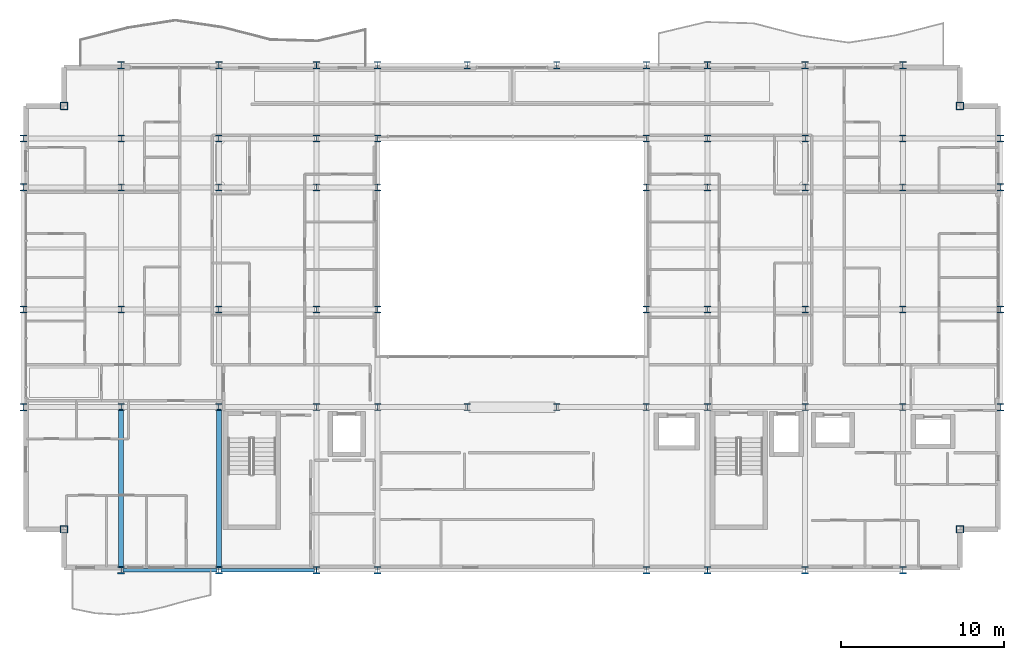
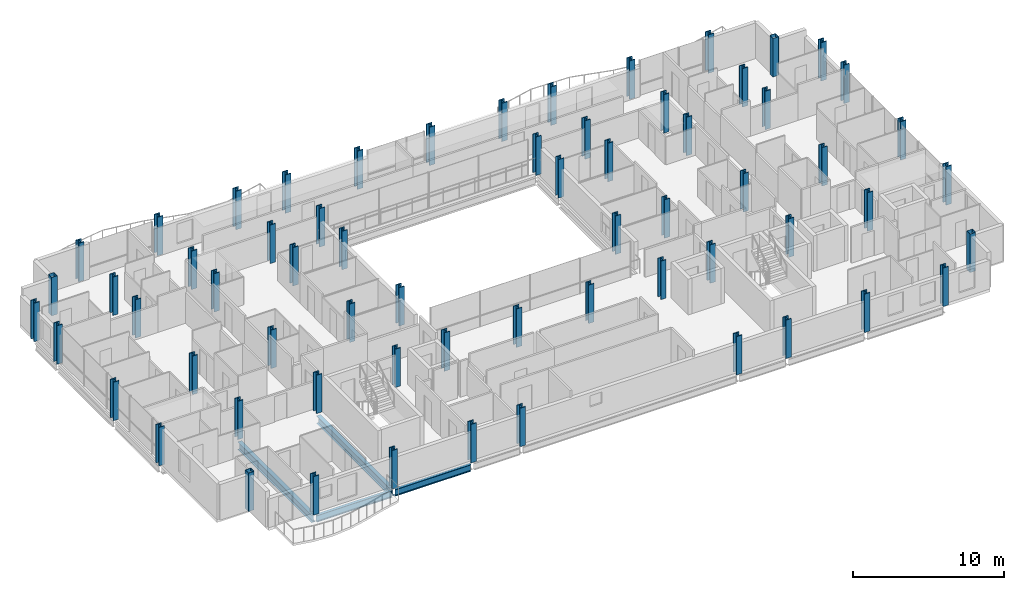
# One storey, part 1 of 41: 64 columns, 4 beams.
"""IFC4 building model written with IfcOpenShell, lengths in metres."""

from ifc_helpers import new_model, si_unit, direction, frame, origin, origin_2d, place, context, subcontext, project, spatial, hollow_rectangle, i_section, extrude, material, material_profile, profile_set, type_object, element, save


model = new_model("IFC4")

# Units and contexts
model_context = context("Model", 3, precision=1e-05, world=origin(), true_north=direction((0.0, 1.0)))
body_context = subcontext(model_context, "Body", "Model", "MODEL_VIEW")
ifc_project = project(units=[si_unit("LENGTHUNIT", "METRE"), si_unit("AREAUNIT", "SQUARE_METRE"), si_unit("VOLUMEUNIT", "CUBIC_METRE"), si_unit("PLANEANGLEUNIT", "RADIAN"), si_unit("MASSUNIT", "GRAM", prefix="KILO")], contexts=[model_context])

# Site, building, storey
site_placement = place(None, origin())
site = spatial("IfcSite", under=ifc_project, at=site_placement, CompositionType="ELEMENT")
building_placement = place(site_placement, origin())
building = spatial("IfcBuilding", under=site, at=building_placement, Name="Brevholm Reach", CompositionType="ELEMENT")
storey_placement = place(building_placement, frame((0.0, 0.0, 68.300048828125)))
storey = spatial("IfcBuildingStorey", under=building, at=storey_placement, Name="L19", CompositionType="ELEMENT", Elevation=68.300048828125)

# Columns
ifc_material_1 = material(Name="Structural Steel S460NH", Category="steel")
ifc_material_profile_1 = material_profile(ifc_material_1, hollow_rectangle(XDim=0.449951171875, YDim=0.449951171875, WallThickness=0.02490234375, InnerFilletRadius=0.011962890625, OuterFilletRadius=0.02392578125, at=origin_2d()), Name="SHS 450x450x25")
ifc_profile_set_1 = profile_set([ifc_material_profile_1], Name="Structural Steel S460NH")
column_type_1 = type_object("IfcColumnType", Name="COL-SHS1", PredefinedType="COLUMN", material=ifc_profile_set_1)
for number, where, z_axis, x_axis, name in (
    (1, (2.5, 2.5, 0.0), (0.0, 0.0, 1.0), (1.0, 0.0, 0.0), "L19 Column 05"),
    (2, (2.5, 28.5, 0.0), (0.0, 0.0, 1.0), (1.0, 0.0, 0.0), "L19 Column 06"),
    (3, (57.5, 2.5, 0.0), (0.0, 0.0, 1.0), (1.0, 0.0, 0.0), "L19 Column 59"),
    (4, (57.5, 28.5, 0.0), (0.0, 0.0, 1.0), (1.0, 0.0, 0.0), "L19 Column 60"),
):
    element("IfcColumn", number, at=place(storey_placement, frame(where, z_axis=z_axis, x_axis=x_axis)), inside=storey, type_object=column_type_1, Name=name, PredefinedType="COLUMN", context=body_context, shape_type="SweptSolid", body=[
        extrude(hollow_rectangle(XDim=0.449951171875, YDim=0.449951171875, WallThickness=0.02490234375, InnerFilletRadius=0.011962890625, OuterFilletRadius=0.02392578125, at=origin_2d()), origin(), (0.0, 0.0, 1.0), 3.099853515625),
    ])
ifc_material_2 = material(Name="Structural Steel S460ML", Category="steel")
ifc_material_profile_2 = material_profile(ifc_material_2, i_section(OverallWidth=0.41845703125, OverallDepth=0.45556640625, WebThickness=0.0419921875, FlangeThickness=0.0673828125, FilletRadius=0.01513671875, at=origin_2d()), Name="UKC 356x406x551")
ifc_profile_set_2 = profile_set([ifc_material_profile_2], Name="Structural Steel S460ML")
column_type_2 = type_object("IfcColumnType", Name="COL-UC2", PredefinedType="COLUMN", material=ifc_profile_set_2)
for number, where, z_axis, x_axis, name in (
    (5, (0.0, 10.0, 0.0), (0.0, 0.0, 1.0), (1.0, 0.0, 0.0), "L19 Column 01"),
    (6, (0.0, 16.0, 0.0), (0.0, 0.0, 1.0), (1.0, 0.0, 0.0), "L19 Column 02"),
    (7, (0.0, 23.5, 0.0), (0.0, 0.0, 1.0), (1.0, 0.0, 0.0), "L19 Column 03"),
    (8, (0.0, 26.5, 0.0), (0.0, 0.0, 1.0), (1.0, 0.0, 0.0), "L19 Column 04"),
    (9, (6.0, 0.0, 0.0), (0.0, 0.0, 1.0), (1.0, 0.0, 0.0), "L19 Column 07"),
    (10, (6.0, 31.0, 0.0), (0.0, 0.0, 1.0), (1.0, 0.0, 0.0), "L19 Column 12"),
    (11, (12.0, 0.0, 0.0), (0.0, 0.0, 1.0), (1.0, 0.0, 0.0), "L19 Column 13"),
    (12, (12.0, 31.0, 0.0), (0.0, 0.0, 1.0), (1.0, 0.0, 0.0), "L19 Column 18"),
    (13, (18.0, 0.0, 0.0), (0.0, 0.0, 1.0), (1.0, 0.0, 0.0), "L19 Column 19"),
    (14, (18.0, 31.0, 0.0), (0.0, 0.0, 1.0), (1.0, 0.0, 0.0), "L19 Column 24"),
    (15, (21.75, 0.0, 0.0), (0.0, 0.0, 1.0), (1.0, 0.0, 0.0), "L19 Column 25"),
    (16, (21.75, 31.0, 0.0), (0.0, 0.0, 1.0), (1.0, 0.0, 0.0), "L19 Column 30"),
    (17, (27.25, 31.0, 0.0), (0.0, 0.0, 1.0), (1.0, 0.0, 0.0), "L19 Column 32"),
    (18, (32.75, 31.0, 0.0), (0.0, 0.0, 1.0), (1.0, 0.0, 0.0), "L19 Column 34"),
    (19, (38.25, 0.0, 0.0), (0.0, 0.0, 1.0), (1.0, 0.0, 0.0), "L19 Column 35"),
    (20, (38.25, 31.0, 0.0), (0.0, 0.0, 1.0), (1.0, 0.0, 0.0), "L19 Column 40"),
    (21, (42.0, 0.0, 0.0), (0.0, 0.0, 1.0), (1.0, 0.0, 0.0), "L19 Column 41"),
    (22, (42.0, 31.0, 0.0), (0.0, 0.0, 1.0), (1.0, 0.0, 0.0), "L19 Column 46"),
    (23, (48.0, 0.0, 0.0), (0.0, 0.0, 1.0), (1.0, 0.0, 0.0), "L19 Column 47"),
    (24, (48.0, 31.0, 0.0), (0.0, 0.0, 1.0), (1.0, 0.0, 0.0), "L19 Column 52"),
    (25, (54.0, 0.0, 0.0), (0.0, 0.0, 1.0), (1.0, 0.0, 0.0), "L19 Column 53"),
    (26, (54.0, 31.0, 0.0), (0.0, 0.0, 1.0), (1.0, 0.0, 0.0), "L19 Column 58"),
    (27, (60.0, 10.0, 0.0), (0.0, 0.0, 1.0), (1.0, 0.0, 0.0), "L19 Column 61"),
    (28, (60.0, 16.0, 0.0), (0.0, 0.0, 1.0), (1.0, 0.0, 0.0), "L19 Column 62"),
    (29, (60.0, 23.5, 0.0), (0.0, 0.0, 1.0), (1.0, 0.0, 0.0), "L19 Column 63"),
    (30, (60.0, 26.5, 0.0), (0.0, 0.0, 1.0), (1.0, 0.0, 0.0), "L19 Column 64"),
):
    element("IfcColumn", number, at=place(storey_placement, frame(where, z_axis=z_axis, x_axis=x_axis)), inside=storey, type_object=column_type_2, Name=name, PredefinedType="COLUMN", context=body_context, shape_type="SweptSolid", body=[
        extrude(i_section(OverallWidth=0.41845703125, OverallDepth=0.45556640625, WebThickness=0.0419921875, FlangeThickness=0.0673828125, FilletRadius=0.01513671875, at=origin_2d()), origin(), (0.0, 0.0, 1.0), 3.099853515625),
    ])
ifc_material_3 = material(Name="Structural Steel S460ML", Category="steel")
ifc_material_profile_3 = material_profile(ifc_material_3, i_section(OverallWidth=0.412109375, OverallDepth=0.4365234375, WebThickness=0.035888671875, FlangeThickness=0.05810546875, FilletRadius=0.01513671875, at=origin_2d()), Name="UKC 356x406x467")
ifc_profile_set_3 = profile_set([ifc_material_profile_3], Name="Structural Steel S460ML")
column_type_3 = type_object("IfcColumnType", Name="COL-UC3", PredefinedType="COLUMN", material=ifc_profile_set_3)
for number, where, z_axis, x_axis, name in (
    (31, (6.0, 10.0, 0.0), (0.0, 0.0, 1.0), (1.0, 0.0, 0.0), "L19 Column 08"),
    (32, (6.0, 16.0, 0.0), (0.0, 0.0, 1.0), (1.0, 0.0, 0.0), "L19 Column 09"),
    (33, (6.0, 23.5, 0.0), (0.0, 0.0, 1.0), (1.0, 0.0, 0.0), "L19 Column 10"),
    (34, (6.0, 26.5, 0.0), (0.0, 0.0, 1.0), (1.0, 0.0, 0.0), "L19 Column 11"),
    (35, (12.0, 10.0, 0.0), (0.0, 0.0, 1.0), (1.0, 0.0, 0.0), "L19 Column 14"),
    (36, (12.0, 16.0, 0.0), (0.0, 0.0, 1.0), (1.0, 0.0, 0.0), "L19 Column 15"),
    (37, (12.0, 23.5, 0.0), (0.0, 0.0, 1.0), (1.0, 0.0, 0.0), "L19 Column 16"),
    (38, (12.0, 26.5, 0.0), (0.0, 0.0, 1.0), (1.0, 0.0, 0.0), "L19 Column 17"),
    (39, (18.0, 10.0, 0.0), (0.0, 0.0, 1.0), (1.0, 0.0, 0.0), "L19 Column 20"),
    (40, (18.0, 16.0, 0.0), (0.0, 0.0, 1.0), (1.0, 0.0, 0.0), "L19 Column 21"),
    (41, (18.0, 23.5, 0.0), (0.0, 0.0, 1.0), (1.0, 0.0, 0.0), "L19 Column 22"),
    (42, (18.0, 26.5, 0.0), (0.0, 0.0, 1.0), (1.0, 0.0, 0.0), "L19 Column 23"),
    (43, (21.75, 10.0, 0.0), (0.0, 0.0, 1.0), (1.0, 0.0, 0.0), "L19 Column 26"),
    (44, (21.75, 16.0, 0.0), (0.0, 0.0, 1.0), (1.0, 0.0, 0.0), "L19 Column 27"),
    (45, (21.75, 23.5, 0.0), (0.0, 0.0, 1.0), (1.0, 0.0, 0.0), "L19 Column 28"),
    (46, (21.75, 26.5, 0.0), (0.0, 0.0, 1.0), (1.0, 0.0, 0.0), "L19 Column 29"),
    (47, (27.25, 10.0, 0.0), (0.0, 0.0, 1.0), (1.0, 0.0, 0.0), "L19 Column 31"),
    (48, (32.75, 10.0, 0.0), (0.0, 0.0, 1.0), (1.0, 0.0, 0.0), "L19 Column 33"),
    (49, (38.25, 10.0, 0.0), (0.0, 0.0, 1.0), (1.0, 0.0, 0.0), "L19 Column 36"),
    (50, (38.25, 16.0, 0.0), (0.0, 0.0, 1.0), (1.0, 0.0, 0.0), "L19 Column 37"),
    (51, (38.25, 23.5, 0.0), (0.0, 0.0, 1.0), (1.0, 0.0, 0.0), "L19 Column 38"),
    (52, (38.25, 26.5, 0.0), (0.0, 0.0, 1.0), (1.0, 0.0, 0.0), "L19 Column 39"),
    (53, (42.0, 10.0, 0.0), (0.0, 0.0, 1.0), (1.0, 0.0, 0.0), "L19 Column 42"),
    (54, (42.0, 16.0, 0.0), (0.0, 0.0, 1.0), (1.0, 0.0, 0.0), "L19 Column 43"),
    (55, (42.0, 23.5, 0.0), (0.0, 0.0, 1.0), (1.0, 0.0, 0.0), "L19 Column 44"),
    (56, (42.0, 26.5, 0.0), (0.0, 0.0, 1.0), (1.0, 0.0, 0.0), "L19 Column 45"),
    (57, (48.0, 10.0, 0.0), (0.0, 0.0, 1.0), (1.0, 0.0, 0.0), "L19 Column 48"),
    (58, (48.0, 16.0, 0.0), (0.0, 0.0, 1.0), (1.0, 0.0, 0.0), "L19 Column 49"),
    (59, (48.0, 23.5, 0.0), (0.0, 0.0, 1.0), (1.0, 0.0, 0.0), "L19 Column 50"),
    (60, (48.0, 26.5, 0.0), (0.0, 0.0, 1.0), (1.0, 0.0, 0.0), "L19 Column 51"),
    (61, (54.0, 10.0, 0.0), (0.0, 0.0, 1.0), (1.0, 0.0, 0.0), "L19 Column 54"),
    (62, (54.0, 16.0, 0.0), (0.0, 0.0, 1.0), (1.0, 0.0, 0.0), "L19 Column 55"),
    (63, (54.0, 23.5, 0.0), (0.0, 0.0, 1.0), (1.0, 0.0, 0.0), "L19 Column 56"),
    (64, (54.0, 26.5, 0.0), (0.0, 0.0, 1.0), (1.0, 0.0, 0.0), "L19 Column 57"),
):
    element("IfcColumn", number, at=place(storey_placement, frame(where, z_axis=z_axis, x_axis=x_axis)), inside=storey, type_object=column_type_3, Name=name, PredefinedType="COLUMN", context=body_context, shape_type="SweptSolid", body=[
        extrude(i_section(OverallWidth=0.412109375, OverallDepth=0.4365234375, WebThickness=0.035888671875, FlangeThickness=0.05810546875, FilletRadius=0.01513671875, at=origin_2d()), origin(), (0.0, 0.0, 1.0), 3.099853515625),
    ])

# Beams
ifc_material_4 = material(Name="Structural Steel S355J2", Category="steel")
ifc_material_profile_4 = material_profile(ifc_material_4, i_section(OverallWidth=0.210693359375, OverallDepth=0.53955078125, WebThickness=0.01171875, FlangeThickness=0.018798828125, FilletRadius=0.0126953125, at=origin_2d()), Name="UKB 533x210x109")
ifc_profile_set_4 = profile_set([ifc_material_profile_4], Name="Structural Steel S355J2")
beam_type_1 = type_object("IfcBeamType", Name="BM-SP539", PredefinedType="SPANDREL", material=ifc_profile_set_4)
for number, where, z_axis, x_axis, name in (
    (65, (6.1201171875, 0.0, -0.499755859375), (1.0, 0.0, 0.0), (0.0, 1.0, 0.0), "L19 SP-01B Framing Beam"),
    (66, (12.1201171875, 0.0, -0.499755859375), (1.0, 0.0, 0.0), (0.0, 1.0, 0.0), "L19 SP-01B Framing Beam"),
):
    element("IfcBeam", number, at=place(storey_placement, frame(where, z_axis=z_axis, x_axis=x_axis)), inside=storey, type_object=beam_type_1, Name=name, PredefinedType="SPANDREL", context=body_context, shape_type="SweptSolid", body=[
        extrude(i_section(OverallWidth=0.210693359375, OverallDepth=0.53955078125, WebThickness=0.01171875, FlangeThickness=0.018798828125, FilletRadius=0.0126953125, at=origin_2d()), origin(), (0.0, 0.0, 1.0), 5.759765625),
    ])
ifc_material_5 = material(Name="Structural Steel S355J2", Category="steel")
ifc_material_profile_5 = material_profile(ifc_material_5, i_section(OverallWidth=0.30712890625, OverallDepth=0.6201171875, WebThickness=0.01416015625, FlangeThickness=0.023681640625, FilletRadius=0.0166015625, at=origin_2d()), Name="UKB 610x305x179")
ifc_profile_set_5 = profile_set([ifc_material_profile_5], Name="Structural Steel S355J2")
beam_type_2 = type_object("IfcBeamType", Name="BM-UKB610H", PredefinedType="USERDEFINED", material=ifc_profile_set_5)
for number, where, z_axis, x_axis, name in (
    (67, (6.0, 0.1201171875, -0.5400390625), (0.0, 1.0, 0.0), (-1.0, 0.0, 0.0), "L19 G-06 Framing Beam"),
    (68, (12.0, 0.1201171875, -0.5400390625), (0.0, 1.0, 0.0), (-1.0, 0.0, 0.0), "L19 G-06 Framing Beam"),
):
    element("IfcBeam", number, at=place(storey_placement, frame(where, z_axis=z_axis, x_axis=x_axis)), inside=storey, type_object=beam_type_2, Name=name, ObjectType="GIRDER", PredefinedType="USERDEFINED", context=body_context, shape_type="SweptSolid", body=[
        extrude(i_section(OverallWidth=0.30712890625, OverallDepth=0.6201171875, WebThickness=0.01416015625, FlangeThickness=0.023681640625, FilletRadius=0.0166015625, at=origin_2d()), origin(), (0.0, 0.0, 1.0), 9.759765625),
    ])

save(model, "model.ifc")
